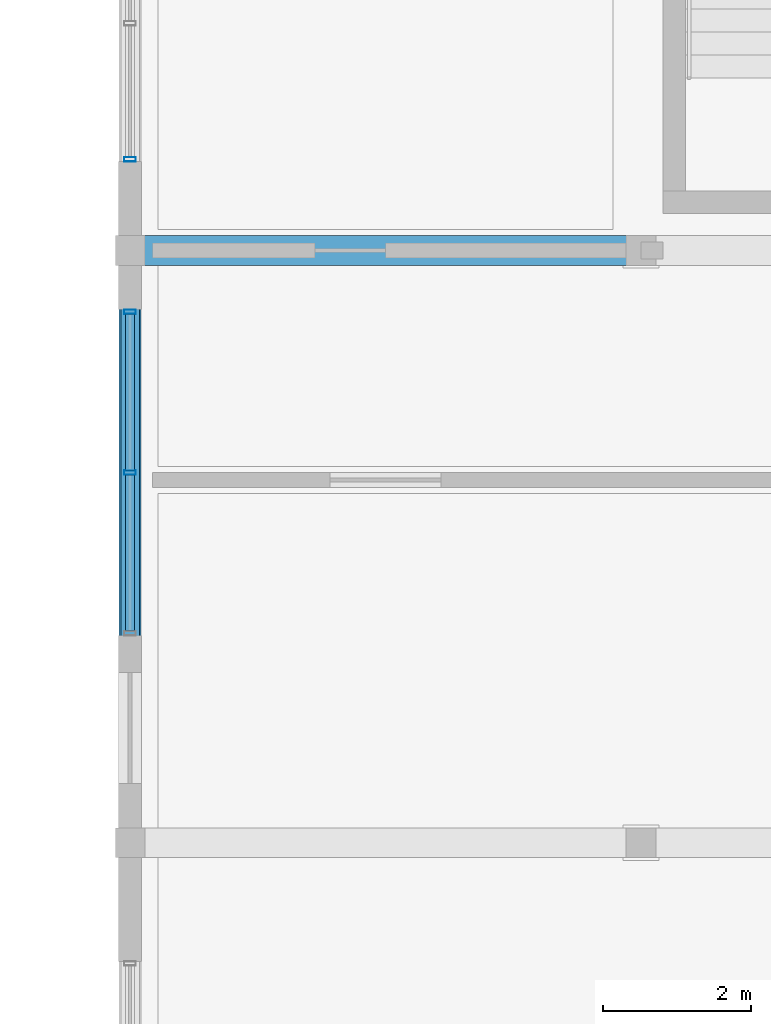
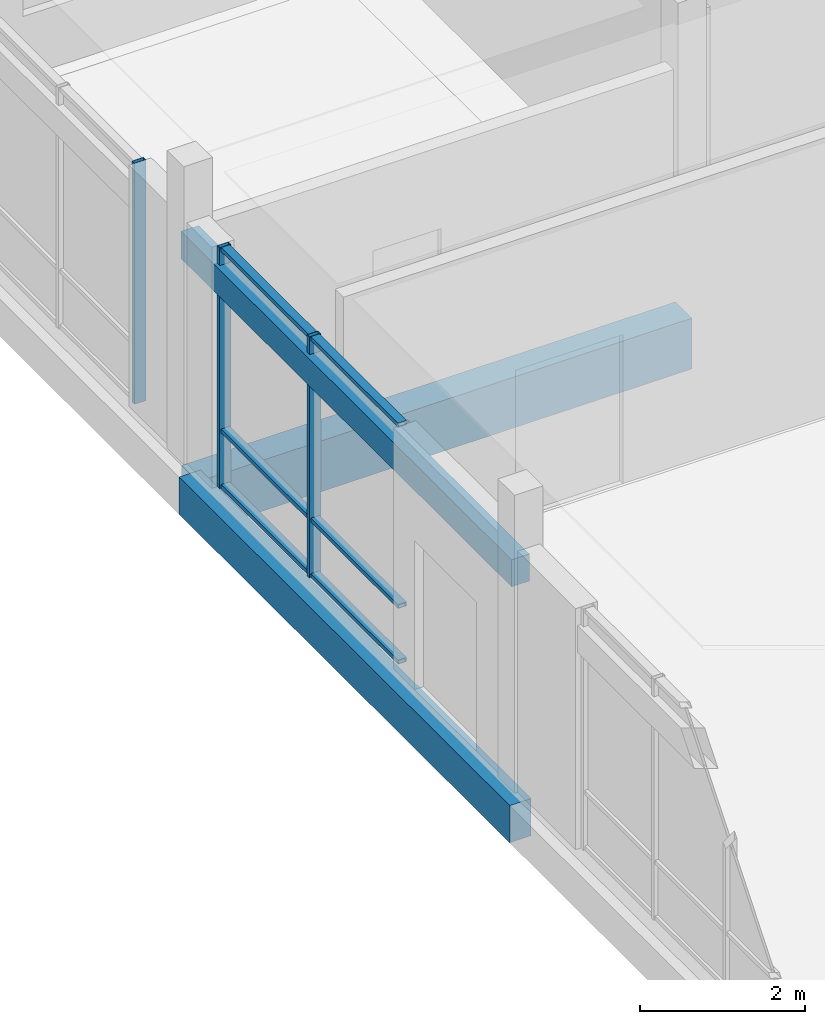
# One storey, part 85 of 233: 9 members, 3 beams, 2 elements without a shape of their own.
"""IFC4 building model written with IfcOpenShell, lengths in metres."""

from ifc_helpers import new_model, si_unit, direction, frame, origin, origin_2d, place, context, subcontext, project, spatial, rectangle, hollow_rectangle, extrude, material, material_profile, profile_set, type_object, element, aggregate, save


model = new_model("IFC4")

# Units and contexts
model_context = context("Model", 3, precision=1e-05, world=origin(), true_north=direction((0.0, 1.0)))
body_context = subcontext(model_context, "Body", "Model", "MODEL_VIEW")
ifc_project = project(units=[si_unit("LENGTHUNIT", "METRE"), si_unit("AREAUNIT", "SQUARE_METRE"), si_unit("VOLUMEUNIT", "CUBIC_METRE"), si_unit("PLANEANGLEUNIT", "RADIAN"), si_unit("MASSUNIT", "GRAM", prefix="KILO")], contexts=[model_context])

# Site, building, storey
site_placement = place(None, origin())
site = spatial("IfcSite", under=ifc_project, at=site_placement, CompositionType="ELEMENT")
building_placement = place(site_placement, origin())
building = spatial("IfcBuilding", under=site, at=building_placement, Name="Zavelmont Quarter", CompositionType="ELEMENT")
storey_placement = place(building_placement, origin())
storey = spatial("IfcBuildingStorey", under=building, at=storey_placement, Name="L00", CompositionType="ELEMENT", Elevation=0.0)

# Beams
ifc_material_1 = material(Name="Concrete C35/45", Category="concrete")
ifc_material_profile_1 = material_profile(ifc_material_1, rectangle(XDim=0.300048828125, YDim=0.550048828125, at=origin_2d()), Name="RC300X550")
ifc_profile_set_1 = profile_set([ifc_material_profile_1], Name="Concrete C35/45")
beam_type_1 = type_object("IfcBeamType", Name="BM02", PredefinedType="SPANDREL", material=ifc_profile_set_1)
beam_1_placement = place(storey_placement, frame((0.0, 70.0, -0.594970703125), z_axis=(0.0, 1.0, 0.0), x_axis=(-1.0, 0.0, 0.0)))
element("IfcBeam", 1, at=beam_1_placement, inside=storey, type_object=beam_type_1, Name="L00 beam BM02 1/L to 1/M", PredefinedType="SPANDREL", context=body_context, shape_type="SweptSolid", body=[
    extrude(rectangle(XDim=0.300048828125, YDim=0.550048828125, at=origin_2d()), origin(), (0.0, 0.0, 1.0), 8.0),
])
ifc_material_profile_2 = material_profile(ifc_material_1, rectangle(XDim=0.25, YDim=0.39990234375, at=origin_2d()), Name="RC250X400")
ifc_profile_set_2 = profile_set([ifc_material_profile_2], Name="Concrete C35/45")
beam_type_2 = type_object("IfcBeamType", Name="BM04", PredefinedType="LINTEL", material=ifc_profile_set_2)
beam_2_placement = place(storey_placement, frame((0.0, 70.0, 3.10009765625), z_axis=(0.0, 1.0, 0.0), x_axis=(-1.0, 0.0, 0.0)))
element("IfcBeam", 2, at=beam_2_placement, inside=storey, type_object=beam_type_2, Name="L00 beam BM04 1/L to 1/M", PredefinedType="LINTEL", context=body_context, shape_type="SweptSolid", body=[
    extrude(rectangle(XDim=0.25, YDim=0.39990234375, at=origin_2d()), origin(), (0.0, 0.0, 1.0), 8.0),
])
ifc_material_2 = material(Name="Concrete C40/50", Category="concrete")
ifc_material_profile_3 = material_profile(ifc_material_2, rectangle(XDim=0.39990234375, YDim=0.75, at=origin_2d()), Name="RC400X750")
ifc_profile_set_3 = profile_set([ifc_material_profile_3], Name="Concrete C40/50")
beam_type_3 = type_object("IfcBeamType", Name="BM05", PredefinedType="BEAM", material=ifc_profile_set_3)
beam_3_placement = place(storey_placement, frame((0.0, 78.0, -0.695068359375), z_axis=(1.0, 0.0, 0.0), x_axis=(0.0, 1.0, 0.0)))
element("IfcBeam", 3, at=beam_3_placement, inside=storey, type_object=beam_type_3, Name="L00 beam BM05 1/M to 2/M", PredefinedType="BEAM", context=body_context, shape_type="SweptSolid", body=[
    extrude(rectangle(XDim=0.39990234375, YDim=0.75, at=origin_2d()), origin(), (0.0, 0.0, 1.0), 6.89990234375),
])

# Curtain wall, members
ifc_material_3 = material(Name="Thermally broken aluminium and double low-E safety glazing", Category="aluminium")
curtain_wall_type_1 = type_object("IfcCurtainWallType", Name="CW-440X356", PredefinedType="NOTDEFINED", material=ifc_material_3)
curtain_wall_1_placement = place(storey_placement, origin())
curtain_wall_1 = element("IfcCurtainWall", 4, at=curtain_wall_1_placement, inside=storey, type_object=curtain_wall_type_1, Name="L00 unitised curtain wall CW-440X356", PredefinedType="NOTDEFINED")
ifc_material_4 = material(Name="Powder-coated aluminium EN AW-6063-T6", Category="aluminium")
ifc_material_profile_4 = material_profile(ifc_material_4, hollow_rectangle(XDim=0.06005859375, YDim=0.159912109375, WallThickness=0.00390625, at=origin_2d()), Name="CWM60X160")
ifc_profile_set_4 = profile_set([ifc_material_profile_4], Name="Powder-coated aluminium EN AW-6063-T6")
member_type_1 = type_object("IfcMemberType", Name="CWM01", PredefinedType="MULLION", material=ifc_profile_set_4)
member_1_placement = place(storey_placement, frame((0.0, 75.0, 0.0), z_axis=(0.0, 0.0, 1.0), x_axis=(0.0, 1.0, 0.0)))
member_1 = element("IfcMember", 5, at=member_1_placement, type_object=member_type_1, Name="CW-440X356 mullion 2", PredefinedType="MULLION", context=body_context, shape_type="SweptSolid", body=[
    extrude(hollow_rectangle(XDim=0.06005859375, YDim=0.159912109375, WallThickness=0.00390625, at=origin_2d()), origin(), (0.0, 0.0, 1.0), 3.56005859375),
])
member_2_placement = place(storey_placement, frame((0.0, 77.169921875, 0.0), z_axis=(0.0, 0.0, 1.0), x_axis=(0.0, 1.0, 0.0)))
member_2 = element("IfcMember", 6, at=member_2_placement, type_object=member_type_1, Name="CW-440X356 mullion 3", PredefinedType="MULLION", context=body_context, shape_type="SweptSolid", body=[
    extrude(hollow_rectangle(XDim=0.06005859375, YDim=0.159912109375, WallThickness=0.00390625, at=origin_2d()), origin(), (0.0, 0.0, 1.0), 3.56005859375),
])

# Curtain wall, member
curtain_wall_type_2 = type_object("IfcCurtainWallType", Name="CW-560X356", PredefinedType="NOTDEFINED", material=ifc_material_3)
curtain_wall_2_placement = place(storey_placement, origin())
curtain_wall_2 = element("IfcCurtainWall", 7, at=curtain_wall_2_placement, inside=storey, type_object=curtain_wall_type_2, Name="L00 unitised curtain wall CW-560X356", PredefinedType="NOTDEFINED")
member_3_placement = place(storey_placement, frame((0.0, 79.22998046875, 0.0), z_axis=(0.0, 0.0, 1.0), x_axis=(0.0, 1.0, 0.0)))
member_3 = element("IfcMember", 8, at=member_3_placement, type_object=member_type_1, Name="CW-560X356 mullion 1", PredefinedType="MULLION", context=body_context, shape_type="SweptSolid", body=[
    extrude(hollow_rectangle(XDim=0.06005859375, YDim=0.159912109375, WallThickness=0.00390625, at=origin_2d()), origin(), (0.0, 0.0, 1.0), 3.56005859375),
])
aggregate(curtain_wall_2, [member_3])

# Member
ifc_material_profile_5 = material_profile(ifc_material_4, hollow_rectangle(XDim=0.1201171875, YDim=0.06005859375, WallThickness=0.00390625, at=origin_2d()), Name="CWT60X120")
ifc_profile_set_5 = profile_set([ifc_material_profile_5], Name="Powder-coated aluminium EN AW-6063-T6")
member_type_2 = type_object("IfcMemberType", Name="CWT01", PredefinedType="NOTDEFINED", material=ifc_profile_set_5)
member_4_placement = place(storey_placement, frame((0.0, 72.860107421875, 0.030029296875), z_axis=(0.0, 1.0, 0.0), x_axis=(-1.0, 0.0, 0.0)))
member_4 = element("IfcMember", 9, at=member_4_placement, type_object=member_type_2, Name="CW-440X356 transom 1.1", ObjectType="TRANSOM", PredefinedType="USERDEFINED", context=body_context, shape_type="SweptSolid", body=[
    extrude(hollow_rectangle(XDim=0.1201171875, YDim=0.06005859375, WallThickness=0.00390625, at=origin_2d()), origin(), (0.0, 0.0, 1.0), 2.10986328125),
])

member_5_placement = place(storey_placement, frame((0.0, 72.860107421875, 0.85009765625), z_axis=(0.0, 1.0, 0.0), x_axis=(-1.0, 0.0, 0.0)))
member_5 = element("IfcMember", 10, at=member_5_placement, type_object=member_type_2, Name="CW-440X356 transom 1.2", ObjectType="TRANSOM", PredefinedType="USERDEFINED", context=body_context, shape_type="SweptSolid", body=[
    extrude(hollow_rectangle(XDim=0.1201171875, YDim=0.06005859375, WallThickness=0.00390625, at=origin_2d()), origin(), (0.0, 0.0, 1.0), 2.10986328125),
])

member_6_placement = place(storey_placement, frame((0.0, 72.860107421875, 3.530029296875), z_axis=(0.0, 1.0, 0.0), x_axis=(-1.0, 0.0, 0.0)))
member_6 = element("IfcMember", 11, at=member_6_placement, type_object=member_type_2, Name="CW-440X356 transom 1.3", ObjectType="TRANSOM", PredefinedType="USERDEFINED", context=body_context, shape_type="SweptSolid", body=[
    extrude(hollow_rectangle(XDim=0.1201171875, YDim=0.06005859375, WallThickness=0.00390625, at=origin_2d()), origin(), (0.0, 0.0, 1.0), 2.10986328125),
])

member_7_placement = place(storey_placement, frame((0.0, 75.030029296875, 0.030029296875), z_axis=(0.0, 1.0, 0.0), x_axis=(-1.0, 0.0, 0.0)))
member_7 = element("IfcMember", 12, at=member_7_placement, type_object=member_type_2, Name="CW-440X356 transom 2.1", ObjectType="TRANSOM", PredefinedType="USERDEFINED", context=body_context, shape_type="SweptSolid", body=[
    extrude(hollow_rectangle(XDim=0.1201171875, YDim=0.06005859375, WallThickness=0.00390625, at=origin_2d()), origin(), (0.0, 0.0, 1.0), 2.10986328125),
])

member_8_placement = place(storey_placement, frame((0.0, 75.030029296875, 0.85009765625), z_axis=(0.0, 1.0, 0.0), x_axis=(-1.0, 0.0, 0.0)))
member_8 = element("IfcMember", 13, at=member_8_placement, type_object=member_type_2, Name="CW-440X356 transom 2.2", ObjectType="TRANSOM", PredefinedType="USERDEFINED", context=body_context, shape_type="SweptSolid", body=[
    extrude(hollow_rectangle(XDim=0.1201171875, YDim=0.06005859375, WallThickness=0.00390625, at=origin_2d()), origin(), (0.0, 0.0, 1.0), 2.10986328125),
])

member_9_placement = place(storey_placement, frame((0.0, 75.030029296875, 3.530029296875), z_axis=(0.0, 1.0, 0.0), x_axis=(-1.0, 0.0, 0.0)))
member_9 = element("IfcMember", 14, at=member_9_placement, type_object=member_type_2, Name="CW-440X356 transom 2.3", ObjectType="TRANSOM", PredefinedType="USERDEFINED", context=body_context, shape_type="SweptSolid", body=[
    extrude(hollow_rectangle(XDim=0.1201171875, YDim=0.06005859375, WallThickness=0.00390625, at=origin_2d()), origin(), (0.0, 0.0, 1.0), 2.10986328125),
])

aggregate(curtain_wall_1, [member_1, member_2, member_4, member_5, member_6, member_7, member_8, member_9])

save(model, "model.ifc")
